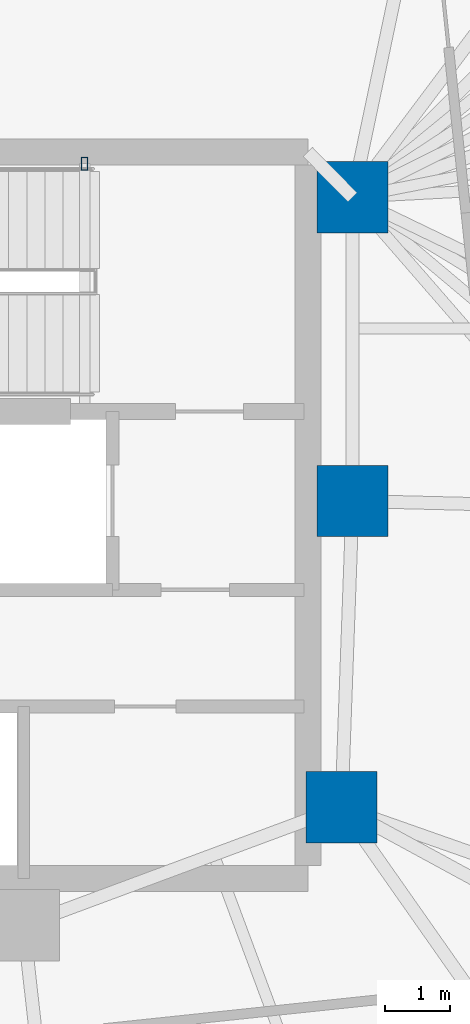
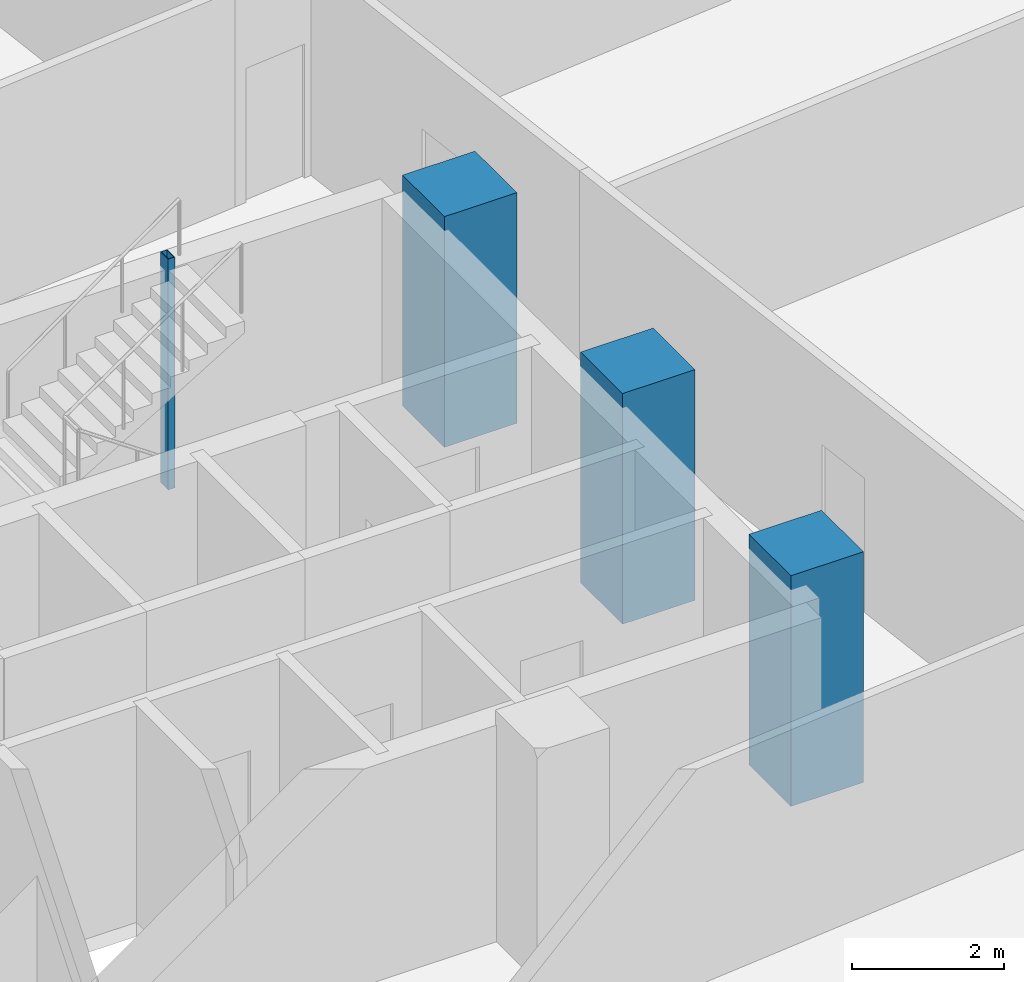
# One storey, part 4 of 18: 4 columns.
"""IFC4 building model written with IfcOpenShell, lengths in metres."""

from ifc_helpers import new_model, si_unit, direction, frame, origin, origin_2d, place, context, subcontext, project, spatial, rectangle, hollow_rectangle, extrude, material, material_profile, profile_set, type_object, element, save


model = new_model("IFC4")

# Units and contexts
model_context = context("Model", 3, precision=1e-05, world=origin(), true_north=direction((0.0, 1.0)))
body_context = subcontext(model_context, "Body", "Model", "MODEL_VIEW")
ifc_project = project(units=[si_unit("LENGTHUNIT", "METRE"), si_unit("AREAUNIT", "SQUARE_METRE"), si_unit("VOLUMEUNIT", "CUBIC_METRE"), si_unit("PLANEANGLEUNIT", "RADIAN"), si_unit("MASSUNIT", "GRAM", prefix="KILO")], contexts=[model_context])

# Site, building, storey
site_placement = place(None, origin())
site = spatial("IfcSite", under=ifc_project, at=site_placement, CompositionType="ELEMENT")
building_placement = place(site_placement, origin())
building = spatial("IfcBuilding", under=site, at=building_placement, Name="Menara Jurai Vektor", CompositionType="ELEMENT")
storey_placement = place(building_placement, frame((0.0, 0.0, 91.10009765625)))
storey = spatial("IfcBuildingStorey", under=building, at=storey_placement, Name="L22", CompositionType="ELEMENT", Elevation=91.10009765625)

# Columns
ifc_material_1 = material(Name="Concrete C50/60", Category="concrete")
ifc_material_profile_1 = material_profile(ifc_material_1, rectangle(XDim=1.10009765625, YDim=1.10009765625, at=origin_2d()), Name="RC 1100x1100")
ifc_profile_set_1 = profile_set([ifc_material_profile_1], Name="Concrete C50/60")
column_type_1 = type_object("IfcColumnType", Name="STR-COL-RC1100", PredefinedType="COLUMN", material=ifc_profile_set_1)
for number, where, z_axis, x_axis, name in (
    (1, (15.25, 4.89990234375, 0.0), (0.0, 0.0, 1.0), (1.0, 0.0, 0.0), "Core Spine Column CE-NE L22"),
    (2, (15.25, 0.219970703125, 0.0), (0.0, 0.0, 1.0), (1.0, 0.0, 0.0), "Core Spine Column CE-EM L22"),
    (3, (15.080078125, -4.5, 0.0), (0.0, 0.0, 1.0), (1.0, 0.0, 0.0), "Core Spine Column CE-SE L22"),
):
    element("IfcColumn", number, at=place(storey_placement, frame(where, z_axis=z_axis, x_axis=x_axis)), inside=storey, type_object=column_type_1, Name=name, PredefinedType="COLUMN", context=body_context, shape_type="SweptSolid", body=[
        extrude(rectangle(XDim=1.10009765625, YDim=1.10009765625, at=origin_2d()), origin(), (0.0, 0.0, 1.0), 3.699951171875),
    ])
ifc_material_2 = material(Name="Steel S355", Category="steel")
ifc_material_profile_2 = material_profile(ifc_material_2, hollow_rectangle(XDim=0.10009765625, YDim=0.199951171875, WallThickness=0.008056640625, at=origin_2d()), Name="RHS 200x100x8")
ifc_profile_set_2 = profile_set([ifc_material_profile_2], Name="Steel S355")
column_type_2 = type_object("IfcColumnType", Name="STR-COL-STAIR", PredefinedType="COLUMN", material=ifc_profile_set_2)
column_placement = place(storey_placement, frame((11.1201171875, 5.419921875, 0.0), z_axis=(0.0, 0.0, 1.0), x_axis=(1.0, 0.0, 0.0)))
element("IfcColumn", 4, at=column_placement, inside=storey, type_object=column_type_2, Name="Stair Well Header Column ST2-P2 L22", PredefinedType="COLUMN", context=body_context, shape_type="SweptSolid", body=[
    extrude(hollow_rectangle(XDim=0.10009765625, YDim=0.199951171875, WallThickness=0.008056640625, at=origin_2d()), origin(), (0.0, 0.0, 1.0), 3.699951171875),
])

save(model, "model.ifc")
